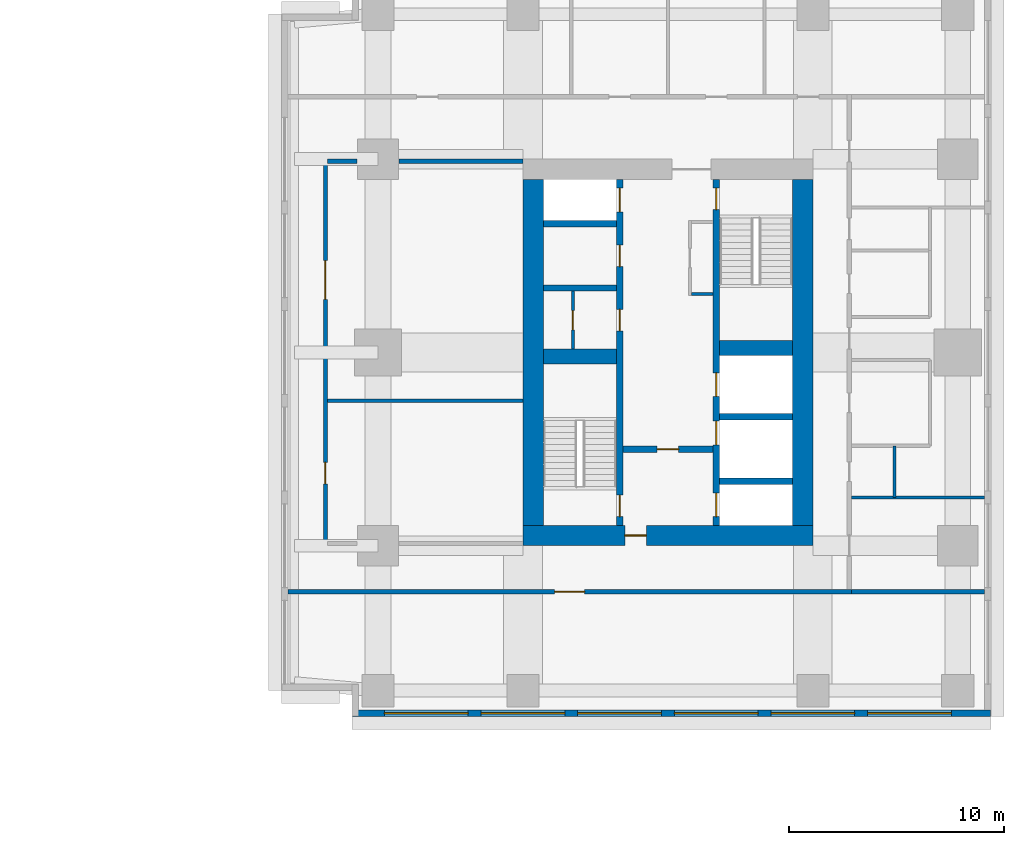
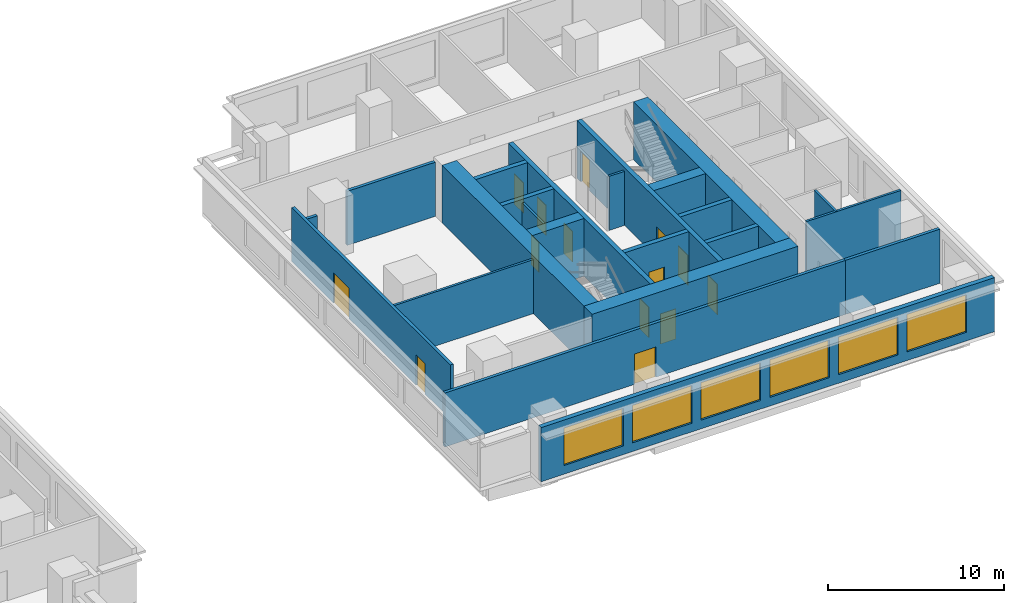
# One storey, part 6 of 10: 23 walls, 14 doors, 6 windows, 20 openings.
"""IFC4 building model written with IfcOpenShell, lengths in metres."""

import ifcopenshell
import ifcopenshell.guid

model = None  # the IFC model being written
_history = None  # IfcOwnerHistory: only IFC2X3 demands one
_inside = {}  # id of a spatial element -> (the spatial element, [elements in it])
_under = {}  # id of a project, library or spatial element -> (it, [spatial elements below it])
_declared = {}  # id of a project -> (the project, [libraries it declares])
_typed = {}  # id of a type object -> (the type object, [elements of that type])
_made_of = {}  # id of a material, layer set ... -> (it, [elements and type objects made of it])


def new_model(schema):
    """Start an empty IFC model of exactly this schema.

    Asked for "IFC4X3", IfcOpenShell would pick the latest addendum, in which some entities
    have other attributes; the version numbers below select the first issue.
    IFC2X3 requires an IfcOwnerHistory on every rooted entity: one is made here for all.
    """
    global model, _history
    if schema == "IFC4X3":
        model = ifcopenshell.file(schema_version=(4, 3, 0, 0))
    else:
        model = ifcopenshell.file(schema=schema)
    _inside.clear()
    _under.clear()
    _declared.clear()
    _typed.clear()
    _made_of.clear()
    _history = None
    if model.schema == "IFC2X3":
        org = make("IfcOrganization", Name="unknown")
        user = make(
            "IfcPersonAndOrganization",
            ThePerson=make("IfcPerson", FamilyName="unknown"),
            TheOrganization=org,
        )
        app = make(
            "IfcApplication",
            ApplicationDeveloper=org,
            Version="unknown",
            ApplicationFullName="unknown",
            ApplicationIdentifier="unknown",
        )
        _history = make(
            "IfcOwnerHistory",
            OwningUser=user,
            OwningApplication=app,
            ChangeAction="ADDED",
            CreationDate=0,
        )
    return model


def make(cls, **values):
    """One entity of the class cls with the attributes given. An attribute that is None is left unset."""
    return model.create_entity(
        cls, **{name: value for name, value in values.items() if value is not None}
    )


def rooted(cls, **values):
    """An entity with a GlobalId (a new one), such as an element, a storey or a relation."""
    return make(cls, GlobalId=ifcopenshell.guid.new(), OwnerHistory=_history, **values)


def si_unit(unit_type, name, prefix=None):
    """IfcSIUnit, for example si_unit("LENGTHUNIT", "METRE", prefix="MILLI")."""
    return make("IfcSIUnit", UnitType=unit_type, Prefix=prefix, Name=name)


def assignment(units):
    """IfcUnitAssignment: the units of a project."""
    return None if units is None else make("IfcUnitAssignment", Units=units)


def point(xyz):
    """IfcCartesianPoint."""
    return None if xyz is None else make("IfcCartesianPoint", Coordinates=xyz)


def direction(xyz):
    """IfcDirection."""
    return None if xyz is None else make("IfcDirection", DirectionRatios=xyz)


def frame(location, z_axis=None, x_axis=None):
    """IfcAxis2Placement3D, a coordinate frame: its origin and axes. An axis left out is left unset."""
    return make(
        "IfcAxis2Placement3D",
        Location=point(location),
        Axis=direction(z_axis),
        RefDirection=direction(x_axis),
    )


def frame_2d(location, x_axis=None):
    """IfcAxis2Placement2D, a coordinate frame in the plane: its origin and x axis."""
    return make(
        "IfcAxis2Placement2D", Location=point(location), RefDirection=direction(x_axis)
    )


def origin():
    """The frame at (0, 0, 0) with its axes left unset."""
    return frame((0.0, 0.0, 0.0))


def place(relative_to, where):
    """IfcLocalPlacement: puts the frame where relative to a parent placement (None: the world)."""
    return make(
        "IfcLocalPlacement", PlacementRelTo=relative_to, RelativePlacement=where
    )


def context(
    kind, dimensions, precision=None, world=None, true_north=None, identifier=None
):
    """IfcGeometricRepresentationContext, for example the 3D "Model" context."""
    return make(
        "IfcGeometricRepresentationContext",
        ContextIdentifier=identifier,
        ContextType=kind,
        CoordinateSpaceDimension=dimensions,
        Precision=precision,
        WorldCoordinateSystem=world,
        TrueNorth=true_north,
    )


def subcontext(parent, identifier, kind, view, scale=None):
    """IfcGeometricRepresentationSubContext, for example "Body" below "Model"."""
    return make(
        "IfcGeometricRepresentationSubContext",
        ContextIdentifier=identifier,
        ContextType=kind,
        ParentContext=parent,
        TargetScale=scale,
        TargetView=view,
    )


def project(units=None, contexts=None):
    """IfcProject with its units and contexts."""
    return rooted(
        "IfcProject",
        Name="project",
        RepresentationContexts=contexts,
        UnitsInContext=assignment(units),
    )


def spatial(cls, under=None, at=None, **own):
    """A site, building, storey or space (cls), placed at a placement, below another one or the project."""
    s = rooted(cls, ObjectPlacement=at, **own)
    if under is not None:
        _under.setdefault(under.id(), (under, []))[1].append(s)
    return s


def profile(cls, at=None, kind="AREA", **sizes):
    """A parametric profile (cls). Its sizes go by their IFC names, for example OverallWidth=200.0."""
    return make(cls, ProfileType=kind, Position=at, **sizes)


def rectangle(**sizes):
    """IfcRectangleProfileDef."""
    return profile("IfcRectangleProfileDef", **sizes)


def extrude(swept, where, along, depth):
    """IfcExtrudedAreaSolid: the profile swept, set in the frame where, extruded along a direction by depth."""
    return make(
        "IfcExtrudedAreaSolid",
        SweptArea=swept,
        Position=where,
        ExtrudedDirection=direction(along),
        Depth=depth,
    )


def shape(context_of_items, identifier, shape_type, items):
    """IfcShapeRepresentation: the items that make up one representation, for example the "Body"."""
    return make(
        "IfcShapeRepresentation",
        ContextOfItems=context_of_items,
        RepresentationIdentifier=identifier,
        RepresentationType=shape_type,
        Items=items,
    )


def material(Name=None, Category=None):
    """IfcMaterial."""
    return make("IfcMaterial", Name=Name, Category=Category)


def layer(
    of_material, thickness, ventilated=None, Name=None, Category=None, Priority=None
):
    """IfcMaterialLayer: one layer of a wall or slab, of a material (None: an air gap)."""
    return make(
        "IfcMaterialLayer",
        Material=of_material,
        LayerThickness=thickness,
        IsVentilated=ventilated,
        Name=Name,
        Category=Category,
        Priority=Priority,
    )


def layer_set(layers, Name=None):
    """IfcMaterialLayerSet."""
    return make("IfcMaterialLayerSet", MaterialLayers=layers, LayerSetName=Name)


def made_of(thing, what):
    """Note that an element or type object is made of a material, layer set ...; save() writes the relation."""
    if what is not None:
        _made_of.setdefault(what.id(), (what, []))[1].append(thing)
    return thing


def type_object(cls, material=None, **own):
    """A type object (cls), such as IfcWallType, which elements share."""
    return made_of(rooted(cls, **own), material)


def element(
    cls,
    number,
    at=None,
    inside=None,
    cuts=None,
    type_object=None,
    material=None,
    context=None,
    identifier="Body",
    shape_type=None,
    held_by="IfcProductDefinitionShape",
    body=None,
    shapes=None,
    **own,
):
    """One element of the class cls, such as IfcWall. Its Tag is "e" and its number.

    at: its placement. inside: the storey or other place that contains it. cuts: it is an
    opening in that element (IfcRelVoidsElement). A single representation is given by context,
    identifier, shape_type and body (its items); several are given by shapes. held_by: the class
    of the entity that holds the representations. save() writes the other relations.
    """
    e = rooted(cls, Tag="e%d" % number, ObjectPlacement=at, **own)
    if body is not None:
        shapes = [shape(context, identifier, shape_type, body)]
    if shapes is not None:
        e.Representation = make(held_by, Representations=shapes)
    if inside is not None:
        _inside.setdefault(inside.id(), (inside, []))[1].append(e)
    if cuts is not None:
        rooted(
            "IfcRelVoidsElement", RelatingBuildingElement=cuts, RelatedOpeningElement=e
        )
    if type_object is not None:
        _typed.setdefault(type_object.id(), (type_object, []))[1].append(e)
    return made_of(e, material)


def fill(opening, filler):
    """IfcRelFillsElement: the door or window that sits in an opening."""
    return rooted(
        "IfcRelFillsElement",
        RelatingOpeningElement=opening,
        RelatedBuildingElement=filler,
    )


def aggregate(whole, parts):
    """IfcRelAggregates: a whole, such as a stair, and the parts it consists of."""
    return rooted("IfcRelAggregates", RelatingObject=whole, RelatedObjects=parts)


def save(model, path):
    """Write the relations noted so far, then the file.

    IfcRelAggregates (storeys below a building ...), IfcRelContainedInSpatialStructure (elements
    in a storey), IfcRelDefinesByType, IfcRelAssociatesMaterial and IfcRelDeclares: one each for
    every whole, place, type object, material and project.
    """
    for whole, parts in _under.values():
        aggregate(whole, parts)
    for where, things in _inside.values():
        rooted(
            "IfcRelContainedInSpatialStructure",
            RelatedElements=things,
            RelatingStructure=where,
        )
    for kind, things in _typed.values():
        rooted("IfcRelDefinesByType", RelatedObjects=things, RelatingType=kind)
    for what, things in _made_of.values():
        rooted("IfcRelAssociatesMaterial", RelatedObjects=things, RelatingMaterial=what)
    for by, libraries in _declared.values():
        rooted("IfcRelDeclares", RelatingContext=by, RelatedDefinitions=libraries)
    model.write(path)


model = new_model("IFC4")

# Units and contexts
model_context = context("Model", 3, precision=1e-05, world=origin(), true_north=direction((0.0, 1.0)))
body_context = subcontext(model_context, "Body", "Model", "MODEL_VIEW")
ifc_project = project(units=[si_unit("LENGTHUNIT", "METRE"), si_unit("AREAUNIT", "SQUARE_METRE"), si_unit("VOLUMEUNIT", "CUBIC_METRE"), si_unit("PLANEANGLEUNIT", "RADIAN"), si_unit("MASSUNIT", "GRAM", prefix="KILO")], contexts=[model_context])

# Site, building, storey
site_placement = place(None, origin())
site = spatial("IfcSite", under=ifc_project, at=site_placement, CompositionType="ELEMENT")
building_placement = place(site_placement, origin())
building = spatial("IfcBuilding", under=site, at=building_placement, Name="Namib Vertical Campus", CompositionType="ELEMENT")
storey_placement = place(building_placement, frame((0.0, 0.0, 165.0)))
storey = spatial("IfcBuildingStorey", under=building, at=storey_placement, Name="L39", CompositionType="ELEMENT", Elevation=165.0)

# Wall, openings, doors
ifc_material_1 = material(Name="Concrete C60/75", Category="concrete")
ifc_layer_1 = layer(ifc_material_1, 0.300048828125)
ifc_layer_set_1 = layer_set([ifc_layer_1], Name="Concrete C60/75")
wall_type_1 = type_object("IfcWallType", Name="Core inner wall 300", PredefinedType="SHEAR", material=ifc_layer_set_1)
wall_1_placement = place(storey_placement, frame((78.75, 12.199951171875, 0.0), z_axis=(0.0, 0.0, 1.0), x_axis=(0.0, 1.0, 0.0)))
wall_1 = element("IfcWall", 1, at=wall_1_placement, inside=storey, type_object=wall_type_1, Name="Core inner wall B L39 W1", PredefinedType="SHEAR", context=body_context, shape_type="SweptSolid", body=[
    extrude(rectangle(XDim=16.10009765625, YDim=0.300048828125, at=frame_2d((8.050048828125, 0.0))), origin(), (0.0, 0.0, 1.0), 4.0),
])
opening_1_placement = place(wall_1_placement, frame((0.39990234375, 0.0, 0.0)))
opening_1 = element("IfcOpeningElement", 2, at=opening_1_placement, cuts=wall_1, Name="Opening FD1", PredefinedType="OPENING", context=body_context, shape_type="SweptSolid", body=[
    extrude(rectangle(XDim=1.0, YDim=2.10009765625, at=frame_2d((0.5, 1.050048828125))), frame((0.0, 0.159912109375, 0.0), z_axis=(0.0, -1.0, 0.0), x_axis=(1.0, 0.0, 0.0)), (0.0, 0.0, 1.0), 0.320068359375),
])
opening_2_placement = place(wall_1_placement, frame((14.60009765625, 0.0, 0.0)))
opening_2 = element("IfcOpeningElement", 3, at=opening_2_placement, cuts=wall_1, Name="Opening LD1", PredefinedType="OPENING", context=body_context, shape_type="SweptSolid", body=[
    extrude(rectangle(XDim=1.10009765625, YDim=2.10009765625, at=frame_2d((0.550048828125, 1.050048828125))), frame((0.0, 0.159912109375, 0.0), z_axis=(0.0, -1.0, 0.0), x_axis=(1.0, 0.0, 0.0)), (0.0, 0.0, 1.0), 0.320068359375),
])
opening_3_placement = place(wall_1_placement, frame((9.050048828125, 0.0, 0.0)))
opening_3 = element("IfcOpeningElement", 4, at=opening_3_placement, cuts=wall_1, Name="Opening D1", PredefinedType="OPENING", context=body_context, shape_type="SweptSolid", body=[
    extrude(rectangle(XDim=1.0, YDim=2.10009765625, at=frame_2d((0.5, 1.050048828125))), frame((0.0, 0.159912109375, 0.0), z_axis=(0.0, -1.0, 0.0), x_axis=(1.0, 0.0, 0.0)), (0.0, 0.0, 1.0), 0.320068359375),
])
opening_4_placement = place(wall_1_placement, frame((12.050048828125, 0.0, 0.0)))
opening_4 = element("IfcOpeningElement", 5, at=opening_4_placement, cuts=wall_1, Name="Opening D1", PredefinedType="OPENING", context=body_context, shape_type="SweptSolid", body=[
    extrude(rectangle(XDim=1.0, YDim=2.10009765625, at=frame_2d((0.5, 1.050048828125))), frame((0.0, 0.159912109375, 0.0), z_axis=(0.0, -1.0, 0.0), x_axis=(1.0, 0.0, 0.0)), (0.0, 0.0, 1.0), 0.320068359375),
])
ifc_material_2 = material(Name="Timber door leaf", Category="wood")
door_type_1 = type_object("IfcDoorType", Name="Door single 1000x2100", OperationType="SINGLE_SWING_LEFT", PredefinedType="DOOR", material=ifc_material_2)
door_1_placement = place(opening_3_placement, origin())
door_1 = element("IfcDoor", 6, at=door_1_placement, inside=storey, type_object=door_type_1, Name="Door D1 Store B L39 P1", OperationType="SINGLE_SWING_LEFT", OverallHeight=2.10009765625, OverallWidth=1.0, PredefinedType="DOOR", context=body_context, shape_type="SweptSolid", body=[
    extrude(rectangle(XDim=1.0, YDim=2.10009765625, at=frame_2d((0.5, 1.050048828125))), frame((0.0, 0.02490234375, 0.0), z_axis=(0.0, -1.0, 0.0), x_axis=(1.0, 0.0, 0.0)), (0.0, 0.0, 1.0), 0.050048828125),
])
fill(opening_3, door_1)
door_2_placement = place(opening_4_placement, origin())
door_2 = element("IfcDoor", 7, at=door_2_placement, inside=storey, type_object=door_type_1, Name="Door D1 Cleaners' store B L39 P2", OperationType="SINGLE_SWING_LEFT", OverallHeight=2.10009765625, OverallWidth=1.0, PredefinedType="DOOR", context=body_context, shape_type="SweptSolid", body=[
    extrude(rectangle(XDim=1.0, YDim=2.10009765625, at=frame_2d((0.5, 1.050048828125))), frame((0.0, 0.02490234375, 0.0), z_axis=(0.0, -1.0, 0.0), x_axis=(1.0, 0.0, 0.0)), (0.0, 0.0, 1.0), 0.050048828125),
])
fill(opening_4, door_2)
ifc_material_3 = material(Name="Steel fire door", Category="steel")
door_type_2 = type_object("IfcDoorType", Name="Fire door 1000x2100", OperationType="SINGLE_SWING_RIGHT", PredefinedType="DOOR", material=ifc_material_3)
door_3_placement = place(opening_1_placement, origin())
door_3 = element("IfcDoor", 8, at=door_3_placement, inside=storey, type_object=door_type_2, Name="Stair door FD1 B L39 S1", OperationType="SINGLE_SWING_LEFT", OverallHeight=2.10009765625, OverallWidth=1.0, PredefinedType="DOOR", context=body_context, shape_type="SweptSolid", body=[
    extrude(rectangle(XDim=1.0, YDim=2.10009765625, at=frame_2d((0.5, 1.050048828125))), frame((0.0, 0.02490234375, 0.0), z_axis=(0.0, -1.0, 0.0), x_axis=(1.0, 0.0, 0.0)), (0.0, 0.0, 1.0), 0.050048828125),
])
fill(opening_1, door_3)
ifc_material_4 = material(Name="Stainless steel lift door", Category="steel")
door_type_3 = type_object("IfcDoorType", Name="Lift landing door 1100x2100", OperationType="DOUBLE_DOOR_SLIDING", PredefinedType="DOOR", material=ifc_material_4)
door_4_placement = place(opening_2_placement, origin())
door_4 = element("IfcDoor", 9, at=door_4_placement, inside=storey, type_object=door_type_3, Name="Lift landing door LD1 B-P3 L39", OperationType="DOUBLE_DOOR_SLIDING", OverallHeight=2.10009765625, OverallWidth=1.10009765625, PredefinedType="DOOR", context=body_context, shape_type="SweptSolid", body=[
    extrude(rectangle(XDim=1.10009765625, YDim=2.10009765625, at=frame_2d((0.550048828125, 1.050048828125))), frame((0.0, 0.02490234375, 0.0), z_axis=(0.0, -1.0, 0.0), x_axis=(1.0, 0.0, 0.0)), (0.0, 0.0, 1.0), 0.050048828125),
])
fill(opening_2, door_4)

wall_2_placement = place(storey_placement, frame((83.25, 12.199951171875, 0.0), z_axis=(0.0, 0.0, 1.0), x_axis=(0.0, 1.0, 0.0)))
wall_2 = element("IfcWall", 10, at=wall_2_placement, inside=storey, type_object=wall_type_1, Name="Core inner wall B L39 W2", PredefinedType="SHEAR", context=body_context, shape_type="SweptSolid", body=[
    extrude(rectangle(XDim=16.10009765625, YDim=0.300048828125, at=frame_2d((8.050048828125, 0.0))), origin(), (0.0, 0.0, 1.0), 4.0),
])
opening_5_placement = place(wall_2_placement, frame((14.699951171875, 0.0, 0.0)))
opening_5 = element("IfcOpeningElement", 11, at=opening_5_placement, cuts=wall_2, Name="Opening FD1", PredefinedType="OPENING", context=body_context, shape_type="SweptSolid", body=[
    extrude(rectangle(XDim=1.0, YDim=2.10009765625, at=frame_2d((0.5, 1.050048828125))), frame((0.0, 0.159912109375, 0.0), z_axis=(0.0, -1.0, 0.0), x_axis=(1.0, 0.0, 0.0)), (0.0, 0.0, 1.0), 0.320068359375),
])
opening_6_placement = place(wall_2_placement, frame((0.39990234375, 0.0, 0.0)))
opening_6 = element("IfcOpeningElement", 12, at=opening_6_placement, cuts=wall_2, Name="Opening LD1", PredefinedType="OPENING", context=body_context, shape_type="SweptSolid", body=[
    extrude(rectangle(XDim=1.10009765625, YDim=2.10009765625, at=frame_2d((0.550048828125, 1.050048828125))), frame((0.0, 0.159912109375, 0.0), z_axis=(0.0, -1.0, 0.0), x_axis=(1.0, 0.0, 0.0)), (0.0, 0.0, 1.0), 0.320068359375),
])
opening_7_placement = place(wall_2_placement, frame((3.75, 0.0, 0.0)))
opening_7 = element("IfcOpeningElement", 13, at=opening_7_placement, cuts=wall_2, Name="Opening LD1", PredefinedType="OPENING", context=body_context, shape_type="SweptSolid", body=[
    extrude(rectangle(XDim=1.10009765625, YDim=2.10009765625, at=frame_2d((0.550048828125, 1.050048828125))), frame((0.0, 0.159912109375, 0.0), z_axis=(0.0, -1.0, 0.0), x_axis=(1.0, 0.0, 0.0)), (0.0, 0.0, 1.0), 0.320068359375),
])
opening_8_placement = place(wall_2_placement, frame((6.0, 0.0, 0.0)))
opening_8 = element("IfcOpeningElement", 14, at=opening_8_placement, cuts=wall_2, Name="Opening LD1", PredefinedType="OPENING", context=body_context, shape_type="SweptSolid", body=[
    extrude(rectangle(XDim=1.10009765625, YDim=2.10009765625, at=frame_2d((0.550048828125, 1.050048828125))), frame((0.0, 0.159912109375, 0.0), z_axis=(0.0, -1.0, 0.0), x_axis=(1.0, 0.0, 0.0)), (0.0, 0.0, 1.0), 0.320068359375),
])
door_5_placement = place(opening_5_placement, frame((1.0, 0.0, 0.0), z_axis=(0.0, 0.0, 1.0), x_axis=(-1.0, 0.0, 0.0)))
door_5 = element("IfcDoor", 15, at=door_5_placement, inside=storey, type_object=door_type_2, Name="Stair door FD1 B L39 S2", OperationType="SINGLE_SWING_LEFT", OverallHeight=2.10009765625, OverallWidth=1.0, PredefinedType="DOOR", context=body_context, shape_type="SweptSolid", body=[
    extrude(rectangle(XDim=1.0, YDim=2.10009765625, at=frame_2d((0.5, 1.050048828125))), frame((0.0, 0.02490234375, 0.0), z_axis=(0.0, -1.0, 0.0), x_axis=(1.0, 0.0, 0.0)), (0.0, 0.0, 1.0), 0.050048828125),
])
fill(opening_5, door_5)
door_6_placement = place(opening_6_placement, origin())
door_6 = element("IfcDoor", 16, at=door_6_placement, inside=storey, type_object=door_type_3, Name="Lift landing door LD1 B-FL1 L39", OperationType="DOUBLE_DOOR_SLIDING", OverallHeight=2.10009765625, OverallWidth=1.10009765625, PredefinedType="DOOR", context=body_context, shape_type="SweptSolid", body=[
    extrude(rectangle(XDim=1.10009765625, YDim=2.10009765625, at=frame_2d((0.550048828125, 1.050048828125))), frame((0.0, 0.02490234375, 0.0), z_axis=(0.0, -1.0, 0.0), x_axis=(1.0, 0.0, 0.0)), (0.0, 0.0, 1.0), 0.050048828125),
])
fill(opening_6, door_6)
door_7_placement = place(opening_7_placement, origin())
door_7 = element("IfcDoor", 17, at=door_7_placement, inside=storey, type_object=door_type_3, Name="Lift landing door LD1 B-P4 L39", OperationType="DOUBLE_DOOR_SLIDING", OverallHeight=2.10009765625, OverallWidth=1.10009765625, PredefinedType="DOOR", context=body_context, shape_type="SweptSolid", body=[
    extrude(rectangle(XDim=1.10009765625, YDim=2.10009765625, at=frame_2d((0.550048828125, 1.050048828125))), frame((0.0, 0.02490234375, 0.0), z_axis=(0.0, -1.0, 0.0), x_axis=(1.0, 0.0, 0.0)), (0.0, 0.0, 1.0), 0.050048828125),
])
fill(opening_7, door_7)
door_8_placement = place(opening_8_placement, origin())
door_8 = element("IfcDoor", 18, at=door_8_placement, inside=storey, type_object=door_type_3, Name="Lift landing door LD1 B-P5 L39", OperationType="DOUBLE_DOOR_SLIDING", OverallHeight=2.10009765625, OverallWidth=1.10009765625, PredefinedType="DOOR", context=body_context, shape_type="SweptSolid", body=[
    extrude(rectangle(XDim=1.10009765625, YDim=2.10009765625, at=frame_2d((0.550048828125, 1.050048828125))), frame((0.0, 0.02490234375, 0.0), z_axis=(0.0, -1.0, 0.0), x_axis=(1.0, 0.0, 0.0)), (0.0, 0.0, 1.0), 0.050048828125),
])
fill(opening_8, door_8)

# Wall, opening, door
wall_3_placement = place(storey_placement, frame((78.89990234375, 15.75, 0.0), z_axis=(0.0, 0.0, 1.0), x_axis=(1.0, 0.0, 0.0)))
wall_3 = element("IfcWall", 19, at=wall_3_placement, inside=storey, type_object=wall_type_1, Name="Core inner wall B L39 W4", PredefinedType="SHEAR", context=body_context, shape_type="SweptSolid", body=[
    extrude(rectangle(XDim=4.2001953125, YDim=0.300048828125, at=frame_2d((2.10009765625, 0.0))), origin(), (0.0, 0.0, 1.0), 4.0),
])
opening_9_placement = place(wall_3_placement, frame((1.60009765625, 0.0, 0.0)))
opening_9 = element("IfcOpeningElement", 20, at=opening_9_placement, cuts=wall_3, Name="Opening FD5", PredefinedType="OPENING", context=body_context, shape_type="SweptSolid", body=[
    extrude(rectangle(XDim=1.0, YDim=2.10009765625, at=frame_2d((0.5, 1.050048828125))), frame((0.0, 0.159912109375, 0.0), z_axis=(0.0, -1.0, 0.0), x_axis=(1.0, 0.0, 0.0)), (0.0, 0.0, 1.0), 0.320068359375),
])
ifc_material_5 = material(Name="Steel fire door", Category="steel")
door_type_4 = type_object("IfcDoorType", Name="Fire door 1000x2100 120 min", OperationType="SINGLE_SWING_RIGHT", PredefinedType="DOOR", material=ifc_material_5)
door_9_placement = place(opening_9_placement, frame((1.0, 0.0, 0.0), z_axis=(0.0, 0.0, 1.0), x_axis=(-1.0, 0.0, 0.0)))
door_9 = element("IfcDoor", 21, at=door_9_placement, inside=storey, type_object=door_type_4, Name="Lobby door FD5 B L39", OperationType="SINGLE_SWING_RIGHT", OverallHeight=2.10009765625, OverallWidth=1.0, PredefinedType="DOOR", context=body_context, shape_type="SweptSolid", body=[
    extrude(rectangle(XDim=1.0, YDim=2.10009765625, at=frame_2d((0.5, 1.050048828125))), frame((0.0, 0.02490234375, 0.0), z_axis=(0.0, -1.0, 0.0), x_axis=(1.0, 0.0, 0.0)), (0.0, 0.0, 1.0), 0.050048828125),
])
fill(opening_9, door_9)

# Walls
for number, where, z_axis, x_axis, name in (
    (22, (83.39990234375, 14.25, 0.0), (0.0, 0.0, 1.0), (1.0, 0.0, 0.0), "Core inner wall B L39 W5"),
    (23, (83.39990234375, 17.25, 0.0), (0.0, 0.0, 1.0), (1.0, 0.0, 0.0), "Core inner wall B L39 W6"),
    (24, (75.199951171875, 23.25, 0.0), (0.0, 0.0, 1.0), (1.0, 0.0, 0.0), "Core inner wall B L39 W8"),
    (25, (75.199951171875, 26.25, 0.0), (0.0, 0.0, 1.0), (1.0, 0.0, 0.0), "Core inner wall B L39 W9"),
):
    element("IfcWall", number, at=place(storey_placement, frame(where, z_axis=z_axis, x_axis=x_axis)), inside=storey, type_object=wall_type_1, Name=name, PredefinedType="SHEAR", context=body_context, shape_type="SweptSolid", body=[
        extrude(rectangle(XDim=3.400146484375, YDim=0.300048828125, at=frame_2d((1.7001953125, 0.0))), origin(), (0.0, 0.0, 1.0), 4.0),
    ])
ifc_material_6 = material(Name="Concrete C60/75", Category="concrete")
ifc_layer_2 = layer(ifc_material_6, 0.699951171875)
ifc_layer_set_2 = layer_set([ifc_layer_2], Name="Concrete C60/75")
wall_type_2 = type_object("IfcWallType", Name="Core shear wall 700", PredefinedType="SHEAR", material=ifc_layer_set_2)
for number, where, z_axis, x_axis, name in (
    (26, (75.199951171875, 20.050048828125, 0.0), (0.0, 0.0, 1.0), (1.0, 0.0, 0.0), "Core shear wall B L39 W3"),
    (27, (83.39990234375, 20.449951171875, 0.0), (0.0, 0.0, 1.0), (1.0, 0.0, 0.0), "Core shear wall B L39 W7"),
):
    element("IfcWall", number, at=place(storey_placement, frame(where, z_axis=z_axis, x_axis=x_axis)), inside=storey, type_object=wall_type_2, Name=name, PredefinedType="SHEAR", context=body_context, shape_type="SweptSolid", body=[
        extrude(rectangle(XDim=3.400146484375, YDim=0.699951171875, at=frame_2d((1.7001953125, 0.0))), origin(), (0.0, 0.0, 1.0), 4.0),
    ])

# Wall, opening, door
ifc_material_7 = material(Name="Concrete C60/75", Category="concrete")
ifc_layer_3 = layer(ifc_material_7, 0.949951171875)
ifc_layer_set_3 = layer_set([ifc_layer_3], Name="Concrete C60/75")
wall_type_3 = type_object("IfcWallType", Name="Core wall 950", PredefinedType="SHEAR", material=ifc_layer_set_3)
wall_4_placement = place(storey_placement, frame((74.25, 11.72509765625, 0.0), z_axis=(0.0, 0.0, 1.0), x_axis=(1.0, 0.0, 0.0)))
wall_4 = element("IfcWall", 28, at=wall_4_placement, inside=storey, type_object=wall_type_3, Name="Core wall B L39 1", PredefinedType="SHEAR", context=body_context, shape_type="SweptSolid", body=[
    extrude(rectangle(XDim=13.5, YDim=0.949951171875, at=frame_2d((6.75, 0.0))), origin(), (0.0, 0.0, 1.0), 4.0),
])
opening_10_placement = place(wall_4_placement, frame((4.75, 0.0, 0.0)))
opening_10 = element("IfcOpeningElement", 29, at=opening_10_placement, cuts=wall_4, Name="Opening FD5", PredefinedType="OPENING", context=body_context, shape_type="SweptSolid", body=[
    extrude(rectangle(XDim=1.0, YDim=2.10009765625, at=frame_2d((0.5, 1.050048828125))), frame((0.0, 0.48486328125, 0.0), z_axis=(0.0, -1.0, 0.0), x_axis=(1.0, 0.0, 0.0)), (0.0, 0.0, 1.0), 0.969970703125),
])
door_10_placement = place(opening_10_placement, origin())
door_10 = element("IfcDoor", 30, at=door_10_placement, inside=storey, type_object=door_type_4, Name="Firefighting lobby door FD5 B L39", OperationType="SINGLE_SWING_LEFT", OverallHeight=2.10009765625, OverallWidth=1.0, PredefinedType="DOOR", context=body_context, shape_type="SweptSolid", body=[
    extrude(rectangle(XDim=1.0, YDim=2.10009765625, at=frame_2d((0.5, 1.050048828125))), frame((0.0, 0.02490234375, 0.0), z_axis=(0.0, -1.0, 0.0), x_axis=(1.0, 0.0, 0.0)), (0.0, 0.0, 1.0), 0.050048828125),
])
fill(opening_10, door_10)

# Walls
for number, where, z_axis, x_axis, name in (
    (31, (87.27490234375, 12.199951171875, 0.0), (0.0, 0.0, 1.0), (0.0, 1.0, 0.0), "Core wall B L39 2"),
    (32, (74.72509765625, 28.300048828125, 0.0), (0.0, 0.0, 1.0), (0.0, -1.0, 0.0), "Core wall B L39 4"),
):
    element("IfcWall", number, at=place(storey_placement, frame(where, z_axis=z_axis, x_axis=x_axis)), inside=storey, type_object=wall_type_3, Name=name, PredefinedType="SHEAR", context=body_context, shape_type="SweptSolid", body=[
        extrude(rectangle(XDim=16.10009765625, YDim=0.949951171875, at=frame_2d((8.050048828125, 0.0))), origin(), (0.0, 0.0, 1.0), 4.0),
    ])

# Wall, opening, door
ifc_material_8 = material(Name="Concrete masonry", Category="masonry")
ifc_layer_4 = layer(ifc_material_8, 0.199951171875)
ifc_layer_set_4 = layer_set([ifc_layer_4], Name="Corridor wall 200")
wall_type_4 = type_object("IfcWallType", Name="Corridor wall 200", PredefinedType="SOLIDWALL", material=ifc_layer_set_4)
wall_5_placement = place(storey_placement, frame((63.300048828125, 9.10009765625, 0.0), z_axis=(0.0, 0.0, 1.0), x_axis=(1.0, 0.0, 0.0)))
wall_5 = element("IfcWall", 33, at=wall_5_placement, inside=storey, type_object=wall_type_4, Name="Corridor wall B L39 CS", PredefinedType="SOLIDWALL", context=body_context, shape_type="SweptSolid", body=[
    extrude(rectangle(XDim=26.25, YDim=0.199951171875, at=frame_2d((13.125, 0.0))), origin(), (0.0, 0.0, 1.0), 3.75),
])
opening_11_placement = place(wall_5_placement, frame((12.425048828125, 0.0, 0.0)))
opening_11 = element("IfcOpeningElement", 34, at=opening_11_placement, cuts=wall_5, Name="Opening LB1", PredefinedType="OPENING", context=body_context, shape_type="SweptSolid", body=[
    extrude(rectangle(XDim=1.39990234375, YDim=2.10009765625, at=frame_2d((0.699951171875, 1.050048828125))), frame((0.0, 0.10986328125, 0.0), z_axis=(0.0, -1.0, 0.0), x_axis=(1.0, 0.0, 0.0)), (0.0, 0.0, 1.0), 0.219970703125),
])
ifc_material_9 = material(Name="Timber fire door leaf", Category="wood")
door_type_5 = type_object("IfcDoorType", Name="Laboratory door 1400x2100 leaf and a half", OperationType="DOUBLE_DOOR_SINGLE_SWING", PredefinedType="DOOR", material=ifc_material_9)
door_11_placement = place(opening_11_placement, frame((1.39990234375, 0.0, 0.0), z_axis=(0.0, 0.0, 1.0), x_axis=(-1.0, 0.0, 0.0)))
door_11 = element("IfcDoor", 35, at=door_11_placement, inside=storey, type_object=door_type_5, Name="Door LB1 B39-01", OperationType="DOUBLE_DOOR_SINGLE_SWING", OverallHeight=2.10009765625, OverallWidth=1.39990234375, PredefinedType="DOOR", context=body_context, shape_type="SweptSolid", body=[
    extrude(rectangle(XDim=1.39990234375, YDim=2.10009765625, at=frame_2d((0.699951171875, 1.050048828125))), frame((0.0, 0.02490234375, 0.0), z_axis=(0.0, -1.0, 0.0), x_axis=(1.0, 0.0, 0.0)), (0.0, 0.0, 1.0), 0.050048828125),
])
fill(opening_11, door_11)

# Wall, openings, doors
wall_6_placement = place(storey_placement, frame((65.050048828125, 29.25, 0.0), z_axis=(0.0, 0.0, 1.0), x_axis=(0.0, -1.0, 0.0)))
wall_6 = element("IfcWall", 36, at=wall_6_placement, inside=storey, type_object=wall_type_4, Name="Corridor wall B L39 CG", PredefinedType="SOLIDWALL", context=body_context, shape_type="SweptSolid", body=[
    extrude(rectangle(XDim=18.0, YDim=0.199951171875, at=frame_2d((9.0, 0.0))), origin(), (0.0, 0.0, 1.0), 3.75),
])
opening_12_placement = place(wall_6_placement, frame((14.125, 0.0, 0.0)))
opening_12 = element("IfcOpeningElement", 37, at=opening_12_placement, cuts=wall_6, Name="Opening CD1", PredefinedType="OPENING", context=body_context, shape_type="SweptSolid", body=[
    extrude(rectangle(XDim=1.0, YDim=2.10009765625, at=frame_2d((0.5, 1.050048828125))), frame((0.0, 0.10986328125, 0.0), z_axis=(0.0, -1.0, 0.0), x_axis=(1.0, 0.0, 0.0)), (0.0, 0.0, 1.0), 0.219970703125),
])
opening_13_placement = place(wall_6_placement, frame((4.72509765625, 0.0, 0.0)))
opening_13 = element("IfcOpeningElement", 38, at=opening_13_placement, cuts=wall_6, Name="Opening CD2", PredefinedType="OPENING", context=body_context, shape_type="SweptSolid", body=[
    extrude(rectangle(XDim=1.800048828125, YDim=2.10009765625, at=frame_2d((0.89990234375, 1.050048828125))), frame((0.0, 0.10986328125, 0.0), z_axis=(0.0, -1.0, 0.0), x_axis=(1.0, 0.0, 0.0)), (0.0, 0.0, 1.0), 0.219970703125),
])
ifc_material_10 = material(Name="Timber fire door leaf", Category="wood")
door_type_6 = type_object("IfcDoorType", Name="Corridor door 1000x2100 20 min", OperationType="SINGLE_SWING_LEFT", PredefinedType="DOOR", material=ifc_material_10)
door_12_placement = place(opening_12_placement, origin())
door_12 = element("IfcDoor", 39, at=door_12_placement, inside=storey, type_object=door_type_6, Name="Door CD1 B39-13", OperationType="SINGLE_SWING_LEFT", OverallHeight=2.10009765625, OverallWidth=1.0, PredefinedType="DOOR", context=body_context, shape_type="SweptSolid", body=[
    extrude(rectangle(XDim=1.0, YDim=2.10009765625, at=frame_2d((0.5, 1.050048828125))), frame((0.0, 0.02490234375, 0.0), z_axis=(0.0, -1.0, 0.0), x_axis=(1.0, 0.0, 0.0)), (0.0, 0.0, 1.0), 0.050048828125),
])
fill(opening_12, door_12)
ifc_material_11 = material(Name="Timber fire door leaf", Category="wood")
door_type_7 = type_object("IfcDoorType", Name="Corridor door double 1800x2100 20 min", OperationType="DOUBLE_DOOR_SINGLE_SWING", PredefinedType="DOOR", material=ifc_material_11)
door_13_placement = place(opening_13_placement, origin())
door_13 = element("IfcDoor", 40, at=door_13_placement, inside=storey, type_object=door_type_7, Name="Door CD2 B39-14", OperationType="DOUBLE_DOOR_SINGLE_SWING", OverallHeight=2.10009765625, OverallWidth=1.800048828125, PredefinedType="DOOR", context=body_context, shape_type="SweptSolid", body=[
    extrude(rectangle(XDim=1.800048828125, YDim=2.10009765625, at=frame_2d((0.89990234375, 1.050048828125))), frame((0.0, 0.02490234375, 0.0), z_axis=(0.0, -1.0, 0.0), x_axis=(1.0, 0.0, 0.0)), (0.0, 0.0, 1.0), 0.050048828125),
])
fill(opening_13, door_13)

# Walls
wall_7_placement = place(storey_placement, frame((65.14990234375, 29.14990234375, 0.0), z_axis=(0.0, 0.0, 1.0), x_axis=(1.0, 0.0, 0.0)))
element("IfcWall", 41, at=wall_7_placement, inside=storey, type_object=wall_type_4, Name="Corridor wall B L39 GN", PredefinedType="SOLIDWALL", context=body_context, shape_type="SweptSolid", body=[
    extrude(rectangle(XDim=1.380126953125, YDim=0.199951171875, at=frame_2d((0.68994140625, 0.0))), origin(), (0.0, 0.0, 1.0), 2.75),
])
wall_8_placement = place(storey_placement, frame((68.469970703125, 29.14990234375, 0.0), z_axis=(0.0, 0.0, 1.0), x_axis=(1.0, 0.0, 0.0)))
element("IfcWall", 42, at=wall_8_placement, inside=storey, type_object=wall_type_4, Name="Corridor wall B L39 GN", PredefinedType="SOLIDWALL", context=body_context, shape_type="SweptSolid", body=[
    extrude(rectangle(XDim=5.780029296875, YDim=0.199951171875, at=frame_2d((2.89013671875, 0.0))), origin(), (0.0, 0.0, 1.0), 3.75),
])
wall_9_placement = place(storey_placement, frame((89.550048828125, 9.10009765625, 0.0), z_axis=(0.0, 0.0, 1.0), x_axis=(1.0, 0.0, 0.0)))
element("IfcWall", 43, at=wall_9_placement, inside=storey, type_object=wall_type_4, Name="Partition B L39 BSE", PredefinedType="SOLIDWALL", context=body_context, shape_type="SweptSolid", body=[
    extrude(rectangle(XDim=6.199951171875, YDim=0.199951171875, at=frame_2d((3.10009765625, 0.0))), origin(), (0.0, 0.0, 1.0), 3.75),
])

# Wall, openings, windows
ifc_material_12 = material(Name="Concrete C40/50", Category="concrete")
ifc_layer_5 = layer(ifc_material_12, 0.300048828125)
ifc_layer_set_5 = layer_set([ifc_layer_5], Name="Concrete C40/50")
wall_type_5 = type_object("IfcWallType", Name="External wall 300 board-marked concrete", PredefinedType="STANDARD", material=ifc_layer_set_5)
wall_10_placement = place(storey_placement, frame((66.320068359375, 3.449951171875, 0.0), z_axis=(0.0, 0.0, 1.0), x_axis=(1.0, 0.0, 0.0)))
wall_10 = element("IfcWall", 44, at=wall_10_placement, inside=storey, type_object=wall_type_5, Name="External wall L39 F03", PredefinedType="STANDARD", context=body_context, shape_type="SweptSolid", body=[
    extrude(rectangle(XDim=29.7099609375, YDim=0.300048828125, at=frame_2d((14.85498046875, 0.0))), origin(), (0.0, 0.0, 1.0), 3.75),
])
opening_14_placement = place(wall_10_placement, frame((1.47998046875, 0.0, 0.60009765625)))
opening_14 = element("IfcOpeningElement", 45, at=opening_14_placement, cuts=wall_10, Name="Opening W2", PredefinedType="OPENING", context=body_context, shape_type="SweptSolid", body=[
    extrude(rectangle(XDim=3.89990234375, YDim=2.60009765625, at=frame_2d((1.949951171875, 1.300048828125))), frame((0.0, 0.159912109375, 0.0), z_axis=(0.0, -1.0, 0.0), x_axis=(1.0, 0.0, 0.0)), (0.0, 0.0, 1.0), 0.320068359375),
])
opening_15_placement = place(wall_10_placement, frame((5.97998046875, 0.0, 0.60009765625)))
opening_15 = element("IfcOpeningElement", 46, at=opening_15_placement, cuts=wall_10, Name="Opening W2", PredefinedType="OPENING", context=body_context, shape_type="SweptSolid", body=[
    extrude(rectangle(XDim=3.89990234375, YDim=2.60009765625, at=frame_2d((1.949951171875, 1.300048828125))), frame((0.0, 0.159912109375, 0.0), z_axis=(0.0, -1.0, 0.0), x_axis=(1.0, 0.0, 0.0)), (0.0, 0.0, 1.0), 0.320068359375),
])
opening_16_placement = place(wall_10_placement, frame((10.47998046875, 0.0, 0.60009765625)))
opening_16 = element("IfcOpeningElement", 47, at=opening_16_placement, cuts=wall_10, Name="Opening W2", PredefinedType="OPENING", context=body_context, shape_type="SweptSolid", body=[
    extrude(rectangle(XDim=3.89990234375, YDim=2.60009765625, at=frame_2d((1.949951171875, 1.300048828125))), frame((0.0, 0.159912109375, 0.0), z_axis=(0.0, -1.0, 0.0), x_axis=(1.0, 0.0, 0.0)), (0.0, 0.0, 1.0), 0.320068359375),
])
opening_17_placement = place(wall_10_placement, frame((14.97998046875, 0.0, 0.60009765625)))
opening_17 = element("IfcOpeningElement", 48, at=opening_17_placement, cuts=wall_10, Name="Opening W2", PredefinedType="OPENING", context=body_context, shape_type="SweptSolid", body=[
    extrude(rectangle(XDim=3.89990234375, YDim=2.60009765625, at=frame_2d((1.949951171875, 1.300048828125))), frame((0.0, 0.159912109375, 0.0), z_axis=(0.0, -1.0, 0.0), x_axis=(1.0, 0.0, 0.0)), (0.0, 0.0, 1.0), 0.320068359375),
])
opening_18_placement = place(wall_10_placement, frame((19.47998046875, 0.0, 0.60009765625)))
opening_18 = element("IfcOpeningElement", 49, at=opening_18_placement, cuts=wall_10, Name="Opening W2", PredefinedType="OPENING", context=body_context, shape_type="SweptSolid", body=[
    extrude(rectangle(XDim=3.89990234375, YDim=2.60009765625, at=frame_2d((1.949951171875, 1.300048828125))), frame((0.0, 0.159912109375, 0.0), z_axis=(0.0, -1.0, 0.0), x_axis=(1.0, 0.0, 0.0)), (0.0, 0.0, 1.0), 0.320068359375),
])
opening_19_placement = place(wall_10_placement, frame((23.97998046875, 0.0, 0.60009765625)))
opening_19 = element("IfcOpeningElement", 50, at=opening_19_placement, cuts=wall_10, Name="Opening W2", PredefinedType="OPENING", context=body_context, shape_type="SweptSolid", body=[
    extrude(rectangle(XDim=3.89990234375, YDim=2.60009765625, at=frame_2d((1.949951171875, 1.300048828125))), frame((0.0, 0.159912109375, 0.0), z_axis=(0.0, -1.0, 0.0), x_axis=(1.0, 0.0, 0.0)), (0.0, 0.0, 1.0), 0.320068359375),
])
ifc_material_13 = material(Name="Dark tinted glass in black aluminium frame", Category="aluminium")
window_type = type_object("IfcWindowType", Name="Ribbon window 3900x2600", PartitioningType="SINGLE_PANEL", PredefinedType="WINDOW", material=ifc_material_13)
window_1_placement = place(opening_14_placement, origin())
window_1 = element("IfcWindow", 51, at=window_1_placement, inside=storey, type_object=window_type, Name="Window W2 L39 F03-1", OverallHeight=2.60009765625, OverallWidth=3.89990234375, PartitioningType="SINGLE_PANEL", PredefinedType="WINDOW", context=body_context, shape_type="SweptSolid", body=[
    extrude(rectangle(XDim=3.89990234375, YDim=2.60009765625, at=frame_2d((1.949951171875, 1.300048828125))), frame((0.0, 0.030029296875, 0.0), z_axis=(0.0, -1.0, 0.0), x_axis=(1.0, 0.0, 0.0)), (0.0, 0.0, 1.0), 0.06005859375),
])
fill(opening_14, window_1)
window_2_placement = place(opening_15_placement, origin())
window_2 = element("IfcWindow", 52, at=window_2_placement, inside=storey, type_object=window_type, Name="Window W2 L39 F03-2", OverallHeight=2.60009765625, OverallWidth=3.89990234375, PartitioningType="SINGLE_PANEL", PredefinedType="WINDOW", context=body_context, shape_type="SweptSolid", body=[
    extrude(rectangle(XDim=3.89990234375, YDim=2.60009765625, at=frame_2d((1.949951171875, 1.300048828125))), frame((0.0, 0.030029296875, 0.0), z_axis=(0.0, -1.0, 0.0), x_axis=(1.0, 0.0, 0.0)), (0.0, 0.0, 1.0), 0.06005859375),
])
fill(opening_15, window_2)
window_3_placement = place(opening_16_placement, origin())
window_3 = element("IfcWindow", 53, at=window_3_placement, inside=storey, type_object=window_type, Name="Window W2 L39 F03-3", OverallHeight=2.60009765625, OverallWidth=3.89990234375, PartitioningType="SINGLE_PANEL", PredefinedType="WINDOW", context=body_context, shape_type="SweptSolid", body=[
    extrude(rectangle(XDim=3.89990234375, YDim=2.60009765625, at=frame_2d((1.949951171875, 1.300048828125))), frame((0.0, 0.030029296875, 0.0), z_axis=(0.0, -1.0, 0.0), x_axis=(1.0, 0.0, 0.0)), (0.0, 0.0, 1.0), 0.06005859375),
])
fill(opening_16, window_3)
window_4_placement = place(opening_17_placement, origin())
window_4 = element("IfcWindow", 54, at=window_4_placement, inside=storey, type_object=window_type, Name="Window W2 L39 F03-4", OverallHeight=2.60009765625, OverallWidth=3.89990234375, PartitioningType="SINGLE_PANEL", PredefinedType="WINDOW", context=body_context, shape_type="SweptSolid", body=[
    extrude(rectangle(XDim=3.89990234375, YDim=2.60009765625, at=frame_2d((1.949951171875, 1.300048828125))), frame((0.0, 0.030029296875, 0.0), z_axis=(0.0, -1.0, 0.0), x_axis=(1.0, 0.0, 0.0)), (0.0, 0.0, 1.0), 0.06005859375),
])
fill(opening_17, window_4)
window_5_placement = place(opening_18_placement, origin())
window_5 = element("IfcWindow", 55, at=window_5_placement, inside=storey, type_object=window_type, Name="Window W2 L39 F03-5", OverallHeight=2.60009765625, OverallWidth=3.89990234375, PartitioningType="SINGLE_PANEL", PredefinedType="WINDOW", context=body_context, shape_type="SweptSolid", body=[
    extrude(rectangle(XDim=3.89990234375, YDim=2.60009765625, at=frame_2d((1.949951171875, 1.300048828125))), frame((0.0, 0.030029296875, 0.0), z_axis=(0.0, -1.0, 0.0), x_axis=(1.0, 0.0, 0.0)), (0.0, 0.0, 1.0), 0.06005859375),
])
fill(opening_18, window_5)
window_6_placement = place(opening_19_placement, origin())
window_6 = element("IfcWindow", 56, at=window_6_placement, inside=storey, type_object=window_type, Name="Window W2 L39 F03-6", OverallHeight=2.60009765625, OverallWidth=3.89990234375, PartitioningType="SINGLE_PANEL", PredefinedType="WINDOW", context=body_context, shape_type="SweptSolid", body=[
    extrude(rectangle(XDim=3.89990234375, YDim=2.60009765625, at=frame_2d((1.949951171875, 1.300048828125))), frame((0.0, 0.030029296875, 0.0), z_axis=(0.0, -1.0, 0.0), x_axis=(1.0, 0.0, 0.0)), (0.0, 0.0, 1.0), 0.06005859375),
])
fill(opening_19, window_6)

# Wall
ifc_material_14 = material(Name="Gypsum board on steel studs", Category="steel")
ifc_layer_6 = layer(ifc_material_14, 0.14990234375)
ifc_layer_set_6 = layer_set([ifc_layer_6], Name="Gypsum board on steel studs")
wall_type_6 = type_object("IfcWallType", Name="Partition 150", PredefinedType="PARTITIONING", material=ifc_layer_set_6)
wall_11_placement = place(storey_placement, frame((82.10009765625, 22.97509765625, 0.0), z_axis=(0.0, 0.0, 1.0), x_axis=(1.0, 0.0, 0.0)))
element("IfcWall", 57, at=wall_11_placement, inside=storey, type_object=wall_type_6, Name="Partition B L39 Staff pantry end 1", PredefinedType="PARTITIONING", context=body_context, shape_type="SweptSolid", body=[
    extrude(rectangle(XDim=1.0, YDim=0.14990234375, at=frame_2d((0.5, 0.0))), origin(), (0.0, 0.0, 1.0), 3.75),
])

# Wall, opening, door
wall_12_placement = place(storey_placement, frame((76.574951171875, 20.39990234375, 0.0), z_axis=(0.0, 0.0, 1.0), x_axis=(0.0, 1.0, 0.0)))
wall_12 = element("IfcWall", 58, at=wall_12_placement, inside=storey, type_object=wall_type_6, Name="Partition B L39 Store P1 back", PredefinedType="PARTITIONING", context=body_context, shape_type="SweptSolid", body=[
    extrude(rectangle(XDim=2.7001953125, YDim=0.14990234375, at=frame_2d((1.35009765625, 0.0))), origin(), (0.0, 0.0, 1.0), 3.75),
])
opening_20_placement = place(wall_12_placement, frame((0.89990234375, 0.0, 0.0)))
opening_20 = element("IfcOpeningElement", 59, at=opening_20_placement, cuts=wall_12, Name="Opening D3", PredefinedType="OPENING", context=body_context, shape_type="SweptSolid", body=[
    extrude(rectangle(XDim=0.89990234375, YDim=2.10009765625, at=frame_2d((0.449951171875, 1.050048828125))), frame((0.0, 0.0849609375, 0.0), z_axis=(0.0, -1.0, 0.0), x_axis=(1.0, 0.0, 0.0)), (0.0, 0.0, 1.0), 0.169921875),
])
ifc_material_15 = material(Name="Timber door leaf", Category="wood")
door_type_8 = type_object("IfcDoorType", Name="Toilet door 900x2100", OperationType="SINGLE_SWING_LEFT", PredefinedType="DOOR", material=ifc_material_15)
door_14_placement = place(opening_20_placement, origin())
door_14 = element("IfcDoor", 60, at=door_14_placement, inside=storey, type_object=door_type_8, Name="Door D3 Store B L39 P1", OperationType="SINGLE_SWING_LEFT", OverallHeight=2.10009765625, OverallWidth=0.89990234375, PredefinedType="DOOR", context=body_context, shape_type="SweptSolid", body=[
    extrude(rectangle(XDim=0.89990234375, YDim=2.10009765625, at=frame_2d((0.449951171875, 1.050048828125))), frame((0.0, 0.02490234375, 0.0), z_axis=(0.0, -1.0, 0.0), x_axis=(1.0, 0.0, 0.0)), (0.0, 0.0, 1.0), 0.050048828125),
])
fill(opening_20, door_14)

# Walls
wall_13_placement = place(storey_placement, frame((89.550048828125, 13.5, 0.0), z_axis=(0.0, 0.0, 1.0), x_axis=(1.0, 0.0, 0.0)))
element("IfcWall", 61, at=wall_13_placement, inside=storey, type_object=wall_type_6, Name="Partition B L39 PE1", PredefinedType="PARTITIONING", context=body_context, shape_type="SweptSolid", body=[
    extrude(rectangle(XDim=6.199951171875, YDim=0.14990234375, at=frame_2d((3.10009765625, 0.0))), origin(), (0.0, 0.0, 1.0), 3.75),
])
wall_14_placement = place(storey_placement, frame((65.14990234375, 18.0, 0.0), z_axis=(0.0, 0.0, 1.0), x_axis=(1.0, 0.0, 0.0)))
element("IfcWall", 62, at=wall_14_placement, inside=storey, type_object=wall_type_6, Name="Partition B L39 PW1", PredefinedType="PARTITIONING", context=body_context, shape_type="SweptSolid", body=[
    extrude(rectangle(XDim=9.10009765625, YDim=0.14990234375, at=frame_2d((4.550048828125, 0.0))), origin(), (0.0, 0.0, 1.0), 3.75),
])
wall_15_placement = place(storey_placement, frame((91.550048828125, 13.5, 0.0), z_axis=(0.0, 0.0, 1.0), x_axis=(0.0, 1.0, 0.0)))
element("IfcWall", 63, at=wall_15_placement, inside=storey, type_object=wall_type_6, Name="Partition B L39 WB1", PredefinedType="PARTITIONING", context=body_context, shape_type="SweptSolid", body=[
    extrude(rectangle(XDim=2.39990234375, YDim=0.14990234375, at=frame_2d((1.199951171875, 0.0))), origin(), (0.0, 0.0, 1.0), 3.75),
])

save(model, "model.ifc")
